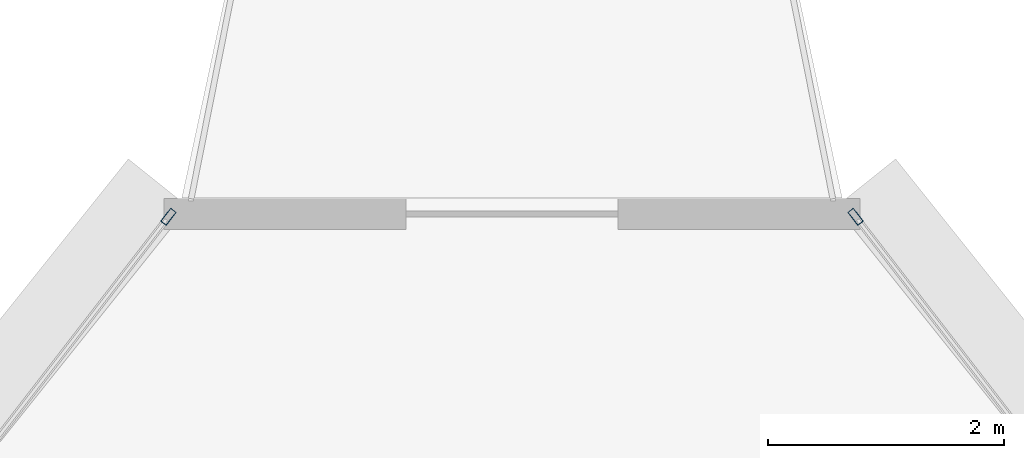
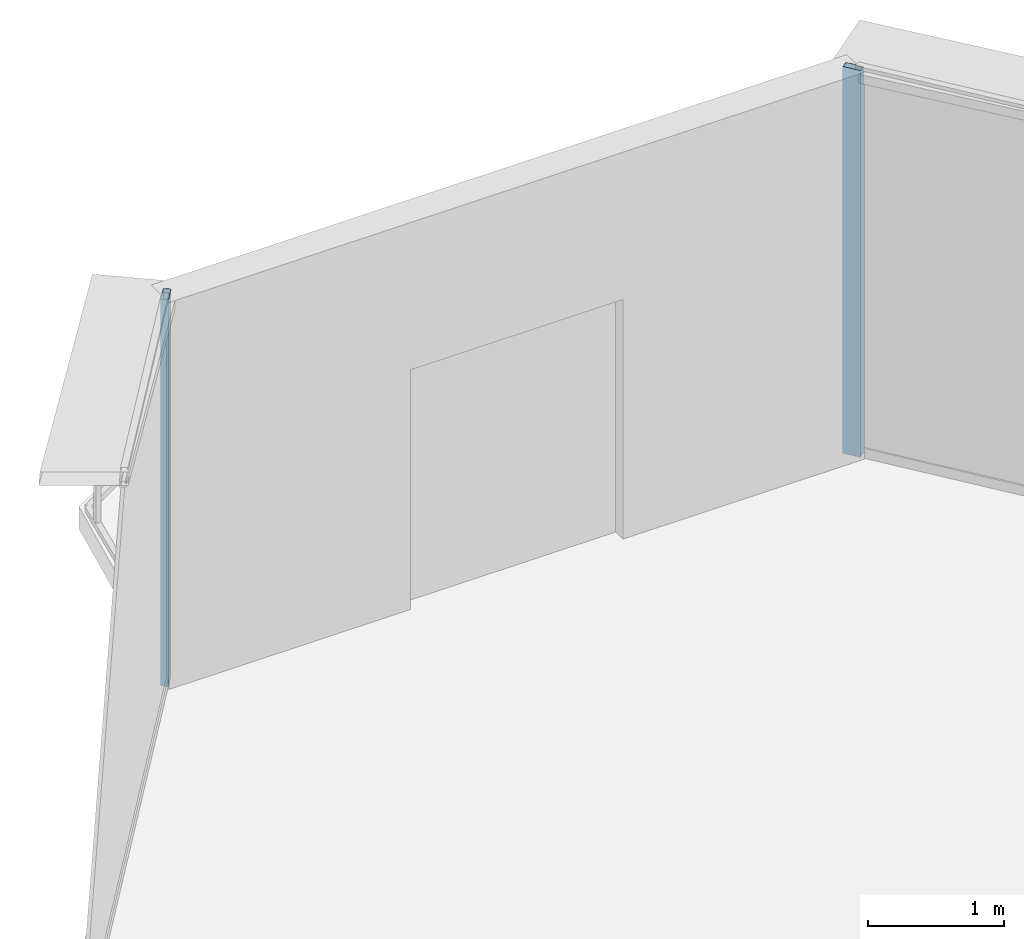
# One storey, part 18 of 29: 2 members, 2 elements without a shape of their own.
"""IFC4 building model written with IfcOpenShell, lengths in metres."""

import ifcopenshell
import ifcopenshell.guid

model = None  # the IFC model being written
_history = None  # IfcOwnerHistory: only IFC2X3 demands one
_inside = {}  # id of a spatial element -> (the spatial element, [elements in it])
_under = {}  # id of a project, library or spatial element -> (it, [spatial elements below it])
_declared = {}  # id of a project -> (the project, [libraries it declares])
_typed = {}  # id of a type object -> (the type object, [elements of that type])
_made_of = {}  # id of a material, layer set ... -> (it, [elements and type objects made of it])


def new_model(schema):
    """Start an empty IFC model of exactly this schema.

    Asked for "IFC4X3", IfcOpenShell would pick the latest addendum, in which some entities
    have other attributes; the version numbers below select the first issue.
    IFC2X3 requires an IfcOwnerHistory on every rooted entity: one is made here for all.
    """
    global model, _history
    if schema == "IFC4X3":
        model = ifcopenshell.file(schema_version=(4, 3, 0, 0))
    else:
        model = ifcopenshell.file(schema=schema)
    _inside.clear()
    _under.clear()
    _declared.clear()
    _typed.clear()
    _made_of.clear()
    _history = None
    if model.schema == "IFC2X3":
        org = make("IfcOrganization", Name="unknown")
        user = make(
            "IfcPersonAndOrganization",
            ThePerson=make("IfcPerson", FamilyName="unknown"),
            TheOrganization=org,
        )
        app = make(
            "IfcApplication",
            ApplicationDeveloper=org,
            Version="unknown",
            ApplicationFullName="unknown",
            ApplicationIdentifier="unknown",
        )
        _history = make(
            "IfcOwnerHistory",
            OwningUser=user,
            OwningApplication=app,
            ChangeAction="ADDED",
            CreationDate=0,
        )
    return model


def make(cls, **values):
    """One entity of the class cls with the attributes given. An attribute that is None is left unset."""
    return model.create_entity(
        cls, **{name: value for name, value in values.items() if value is not None}
    )


def rooted(cls, **values):
    """An entity with a GlobalId (a new one), such as an element, a storey or a relation."""
    return make(cls, GlobalId=ifcopenshell.guid.new(), OwnerHistory=_history, **values)


def si_unit(unit_type, name, prefix=None):
    """IfcSIUnit, for example si_unit("LENGTHUNIT", "METRE", prefix="MILLI")."""
    return make("IfcSIUnit", UnitType=unit_type, Prefix=prefix, Name=name)


def assignment(units):
    """IfcUnitAssignment: the units of a project."""
    return None if units is None else make("IfcUnitAssignment", Units=units)


def point(xyz):
    """IfcCartesianPoint."""
    return None if xyz is None else make("IfcCartesianPoint", Coordinates=xyz)


def direction(xyz):
    """IfcDirection."""
    return None if xyz is None else make("IfcDirection", DirectionRatios=xyz)


def frame(location, z_axis=None, x_axis=None):
    """IfcAxis2Placement3D, a coordinate frame: its origin and axes. An axis left out is left unset."""
    return make(
        "IfcAxis2Placement3D",
        Location=point(location),
        Axis=direction(z_axis),
        RefDirection=direction(x_axis),
    )


def frame_2d(location, x_axis=None):
    """IfcAxis2Placement2D, a coordinate frame in the plane: its origin and x axis."""
    return make(
        "IfcAxis2Placement2D", Location=point(location), RefDirection=direction(x_axis)
    )


def origin():
    """The frame at (0, 0, 0) with its axes left unset."""
    return frame((0.0, 0.0, 0.0))


def origin_2d():
    """The frame at (0, 0) in the plane with its x axis left unset."""
    return frame_2d((0.0, 0.0))


def place(relative_to, where):
    """IfcLocalPlacement: puts the frame where relative to a parent placement (None: the world)."""
    return make(
        "IfcLocalPlacement", PlacementRelTo=relative_to, RelativePlacement=where
    )


def context(
    kind, dimensions, precision=None, world=None, true_north=None, identifier=None
):
    """IfcGeometricRepresentationContext, for example the 3D "Model" context."""
    return make(
        "IfcGeometricRepresentationContext",
        ContextIdentifier=identifier,
        ContextType=kind,
        CoordinateSpaceDimension=dimensions,
        Precision=precision,
        WorldCoordinateSystem=world,
        TrueNorth=true_north,
    )


def subcontext(parent, identifier, kind, view, scale=None):
    """IfcGeometricRepresentationSubContext, for example "Body" below "Model"."""
    return make(
        "IfcGeometricRepresentationSubContext",
        ContextIdentifier=identifier,
        ContextType=kind,
        ParentContext=parent,
        TargetScale=scale,
        TargetView=view,
    )


def project(units=None, contexts=None):
    """IfcProject with its units and contexts."""
    return rooted(
        "IfcProject",
        Name="project",
        RepresentationContexts=contexts,
        UnitsInContext=assignment(units),
    )


def spatial(cls, under=None, at=None, **own):
    """A site, building, storey or space (cls), placed at a placement, below another one or the project."""
    s = rooted(cls, ObjectPlacement=at, **own)
    if under is not None:
        _under.setdefault(under.id(), (under, []))[1].append(s)
    return s


def profile(cls, at=None, kind="AREA", **sizes):
    """A parametric profile (cls). Its sizes go by their IFC names, for example OverallWidth=200.0."""
    return make(cls, ProfileType=kind, Position=at, **sizes)


def hollow_rectangle(**sizes):
    """IfcRectangleHollowProfileDef."""
    return profile("IfcRectangleHollowProfileDef", **sizes)


def extrude(swept, where, along, depth):
    """IfcExtrudedAreaSolid: the profile swept, set in the frame where, extruded along a direction by depth."""
    return make(
        "IfcExtrudedAreaSolid",
        SweptArea=swept,
        Position=where,
        ExtrudedDirection=direction(along),
        Depth=depth,
    )


def shape(context_of_items, identifier, shape_type, items):
    """IfcShapeRepresentation: the items that make up one representation, for example the "Body"."""
    return make(
        "IfcShapeRepresentation",
        ContextOfItems=context_of_items,
        RepresentationIdentifier=identifier,
        RepresentationType=shape_type,
        Items=items,
    )


def source(mapping_origin, context_of_items, identifier, shape_type, items):
    """IfcRepresentationMap: a shape defined once, which mapped items show again and again."""
    return make(
        "IfcRepresentationMap",
        MappingOrigin=mapping_origin,
        MappedRepresentation=shape(context_of_items, identifier, shape_type, items),
    )


def transform(
    local_origin,
    x_axis=None,
    y_axis=None,
    z_axis=None,
    scale=None,
    scale2=None,
    scale3=None,
    uniform=True,
):
    """IfcCartesianTransformationOperator3D, or its non-uniform kind. x_axis, y_axis, z_axis: its Axis1, 2, 3."""
    if uniform:
        return make(
            "IfcCartesianTransformationOperator3D",
            Axis1=direction(x_axis),
            Axis2=direction(y_axis),
            LocalOrigin=point(local_origin),
            Scale=scale,
            Axis3=direction(z_axis),
        )
    return make(
        "IfcCartesianTransformationOperator3DnonUniform",
        Axis1=direction(x_axis),
        Axis2=direction(y_axis),
        LocalOrigin=point(local_origin),
        Scale=scale,
        Axis3=direction(z_axis),
        Scale2=scale2,
        Scale3=scale3,
    )


def mapped(mapping_source, mapping_target):
    """IfcMappedItem: shows the shape of a source again, moved by a transform."""
    return make(
        "IfcMappedItem", MappingSource=mapping_source, MappingTarget=mapping_target
    )


def material(Name=None, Category=None):
    """IfcMaterial."""
    return make("IfcMaterial", Name=Name, Category=Category)


def layer(
    of_material, thickness, ventilated=None, Name=None, Category=None, Priority=None
):
    """IfcMaterialLayer: one layer of a wall or slab, of a material (None: an air gap)."""
    return make(
        "IfcMaterialLayer",
        Material=of_material,
        LayerThickness=thickness,
        IsVentilated=ventilated,
        Name=Name,
        Category=Category,
        Priority=Priority,
    )


def layer_set(layers, Name=None):
    """IfcMaterialLayerSet."""
    return make("IfcMaterialLayerSet", MaterialLayers=layers, LayerSetName=Name)


def material_profile(
    of_material, cross_section, Name=None, Category=None, Priority=None
):
    """IfcMaterialProfile: a cross section and its material."""
    return make(
        "IfcMaterialProfile",
        Name=Name,
        Material=of_material,
        Profile=cross_section,
        Priority=Priority,
        Category=Category,
    )


def profile_set(profiles, Name=None, composite=None):
    """IfcMaterialProfileSet."""
    return make(
        "IfcMaterialProfileSet",
        Name=Name,
        MaterialProfiles=profiles,
        CompositeProfile=composite,
    )


def made_of(thing, what):
    """Note that an element or type object is made of a material, layer set ...; save() writes the relation."""
    if what is not None:
        _made_of.setdefault(what.id(), (what, []))[1].append(thing)
    return thing


def type_object(cls, material=None, **own):
    """A type object (cls), such as IfcWallType, which elements share."""
    return made_of(rooted(cls, **own), material)


def element(
    cls,
    number,
    at=None,
    inside=None,
    cuts=None,
    type_object=None,
    material=None,
    context=None,
    identifier="Body",
    shape_type=None,
    held_by="IfcProductDefinitionShape",
    body=None,
    shapes=None,
    **own,
):
    """One element of the class cls, such as IfcWall. Its Tag is "e" and its number.

    at: its placement. inside: the storey or other place that contains it. cuts: it is an
    opening in that element (IfcRelVoidsElement). A single representation is given by context,
    identifier, shape_type and body (its items); several are given by shapes. held_by: the class
    of the entity that holds the representations. save() writes the other relations.
    """
    e = rooted(cls, Tag="e%d" % number, ObjectPlacement=at, **own)
    if body is not None:
        shapes = [shape(context, identifier, shape_type, body)]
    if shapes is not None:
        e.Representation = make(held_by, Representations=shapes)
    if inside is not None:
        _inside.setdefault(inside.id(), (inside, []))[1].append(e)
    if cuts is not None:
        rooted(
            "IfcRelVoidsElement", RelatingBuildingElement=cuts, RelatedOpeningElement=e
        )
    if type_object is not None:
        _typed.setdefault(type_object.id(), (type_object, []))[1].append(e)
    return made_of(e, material)


def aggregate(whole, parts):
    """IfcRelAggregates: a whole, such as a stair, and the parts it consists of."""
    return rooted("IfcRelAggregates", RelatingObject=whole, RelatedObjects=parts)


def save(model, path):
    """Write the relations noted so far, then the file.

    IfcRelAggregates (storeys below a building ...), IfcRelContainedInSpatialStructure (elements
    in a storey), IfcRelDefinesByType, IfcRelAssociatesMaterial and IfcRelDeclares: one each for
    every whole, place, type object, material and project.
    """
    for whole, parts in _under.values():
        aggregate(whole, parts)
    for where, things in _inside.values():
        rooted(
            "IfcRelContainedInSpatialStructure",
            RelatedElements=things,
            RelatingStructure=where,
        )
    for kind, things in _typed.values():
        rooted("IfcRelDefinesByType", RelatedObjects=things, RelatingType=kind)
    for what, things in _made_of.values():
        rooted("IfcRelAssociatesMaterial", RelatedObjects=things, RelatingMaterial=what)
    for by, libraries in _declared.values():
        rooted("IfcRelDeclares", RelatingContext=by, RelatedDefinitions=libraries)
    model.write(path)


model = new_model("IFC4")

# Units and contexts
model_context = context("Model", 3, precision=1e-05, world=origin(), true_north=direction((0.0, 1.0)))
body_context = subcontext(model_context, "Body", "Model", "MODEL_VIEW")
ifc_project = project(units=[si_unit("LENGTHUNIT", "METRE"), si_unit("AREAUNIT", "SQUARE_METRE"), si_unit("VOLUMEUNIT", "CUBIC_METRE"), si_unit("PLANEANGLEUNIT", "RADIAN"), si_unit("MASSUNIT", "GRAM", prefix="KILO"), si_unit("THERMODYNAMICTEMPERATUREUNIT", "KELVIN"), si_unit("POWERUNIT", "WATT")], contexts=[model_context])

# Site, building, storey
site_placement = place(None, origin())
site = spatial("IfcSite", under=ifc_project, at=site_placement, CompositionType="ELEMENT")
building_placement = place(site_placement, origin())
building = spatial("IfcBuilding", under=site, at=building_placement, Name="Yunzhuo Pagoda Commons", CompositionType="ELEMENT")
storey_placement = place(building_placement, frame((0.0, 0.0, 363.010009765625)))
storey = spatial("IfcBuildingStorey", under=building, at=storey_placement, Name="L91", CompositionType="ELEMENT", Elevation=363.010009765625)

# Curtain wall, member
ifc_material = material(Name="Anodized aluminium 6063-T6", Category="aluminium")
ifc_layer = layer(ifc_material, 0.139892578125)
ifc_layer_set = layer_set([ifc_layer], Name="Anodized aluminium 6063-T6")
curtain_wall_type = type_object("IfcCurtainWallType", Name="CW-HI High-Zone Ribbon Curtain Wall", PredefinedType="NOTDEFINED", material=ifc_layer_set)
curtain_wall_1_placement = place(storey_placement, origin())
curtain_wall_1 = element("IfcCurtainWall", 1, at=curtain_wall_1_placement, inside=storey, type_object=curtain_wall_type, Name="L91 curtain wall CW-L91-F2B5", PredefinedType="NOTDEFINED")
ifc_material_profile = material_profile(ifc_material, hollow_rectangle(XDim=0.06005859375, YDim=0.139892578125, WallThickness=0.00341796875, at=origin_2d()), Name="Anodized aluminium 6063-T6")
ifc_profile_set = profile_set([ifc_material_profile], Name="Anodized aluminium 6063-T6")
member_type = type_object("IfcMemberType", Name="CW-HI-M Mullion RHS 140x60x3.5", PredefinedType="MULLION", material=ifc_profile_set)
shared_shape = source(origin(), body_context, "Body", "SweptSolid", [
    extrude(hollow_rectangle(XDim=0.06005859375, YDim=0.139892578125, WallThickness=0.00341796875, at=origin_2d()), origin(), (0.0, 0.0, 1.0), 3.47021484375),
])
member_1_placement = place(storey_placement, frame((50.915283203125, 69.7529296875, 0.0), z_axis=(0.0, 0.0, 1.0), x_axis=(-0.79134909847, -0.61136454293, 0.0)))
member_1 = element("IfcMember", 2, at=member_1_placement, type_object=member_type, Name="CW mullion 2", PredefinedType="MULLION", context=body_context, shape_type="MappedRepresentation", body=[
    mapped(shared_shape, transform((0.0, 0.0, 0.0), scale=1.0)),
])
aggregate(curtain_wall_1, [member_1])

curtain_wall_2_placement = place(storey_placement, origin())
curtain_wall_2 = element("IfcCurtainWall", 3, at=curtain_wall_2_placement, inside=storey, type_object=curtain_wall_type, Name="L91 curtain wall CW-L91-F3B1", PredefinedType="NOTDEFINED")
member_2_placement = place(storey_placement, frame((45.084716796875, 69.7529296875, 0.0), z_axis=(0.0, 0.0, 1.0), x_axis=(0.79134909847, -0.61136454293, 0.0)))
member_2 = element("IfcMember", 4, at=member_2_placement, type_object=member_type, Name="CW mullion 1", PredefinedType="MULLION", context=body_context, shape_type="MappedRepresentation", body=[
    mapped(shared_shape, transform((0.0, 0.0, 0.0), scale=1.0)),
])
aggregate(curtain_wall_2, [member_2])

save(model, "model.ifc")
